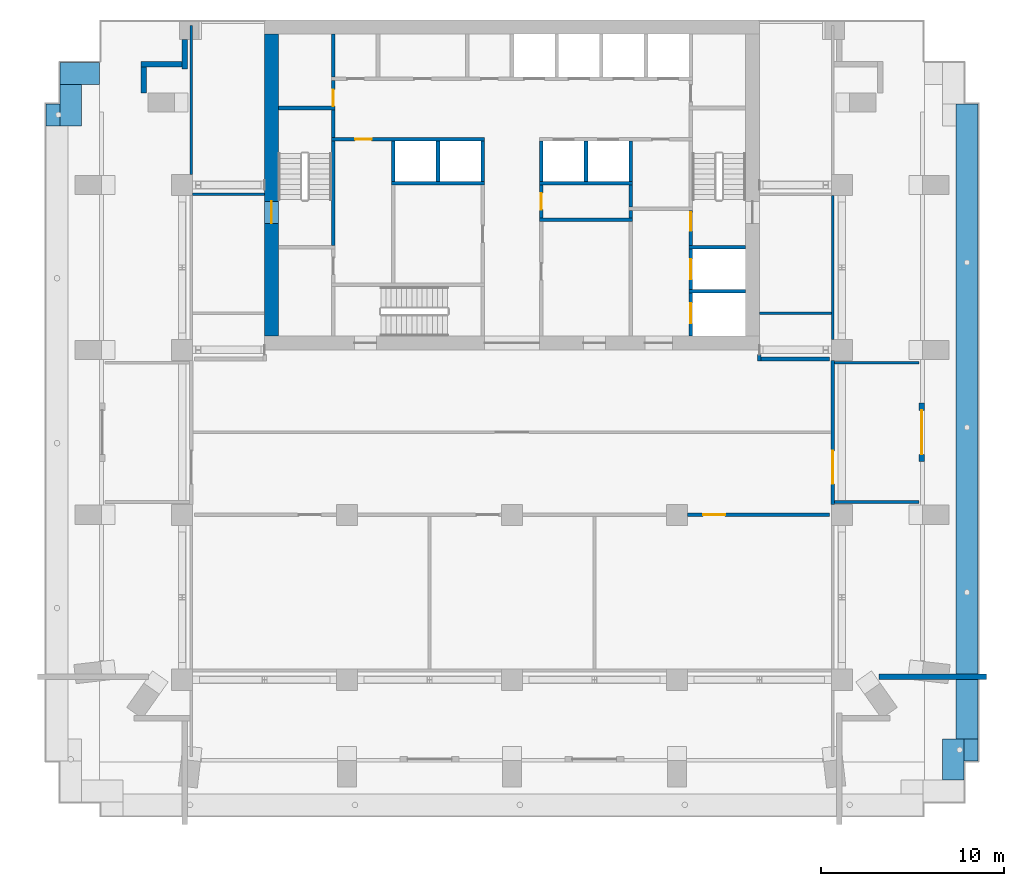
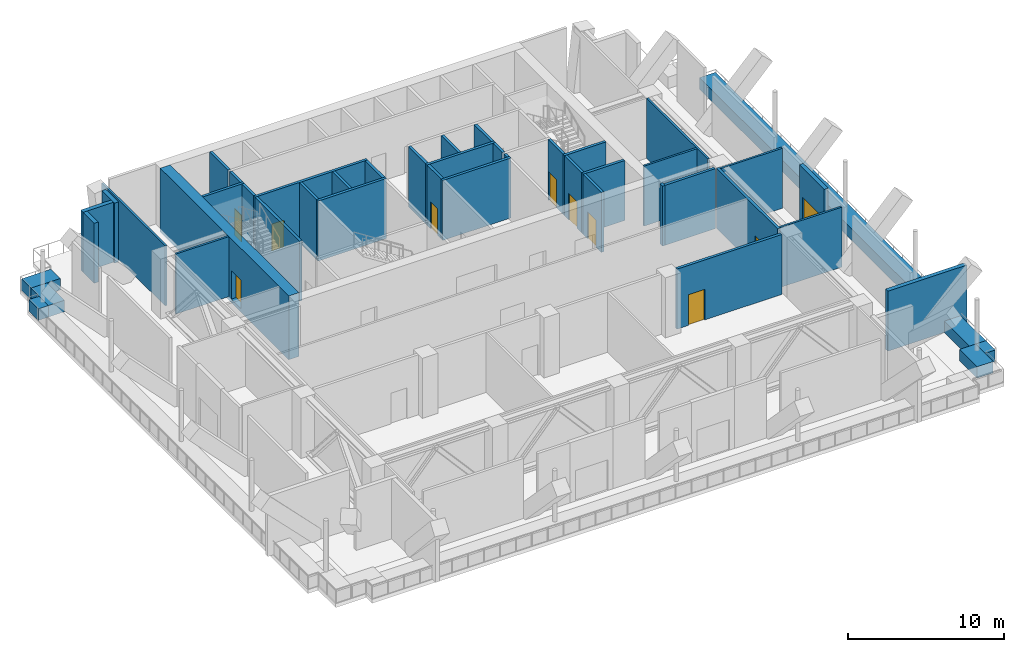
# One storey, part 4 of 9: 45 walls, 10 doors, 10 openings.
"""IFC4 building model written with IfcOpenShell, lengths in metres."""

from ifc_helpers import new_model, si_unit, direction, frame, frame_2d, origin, place, context, subcontext, project, spatial, rectangle, extrude, material, layer, layer_set, type_object, element, fill, save


model = new_model("IFC4")

# Units and contexts
model_context = context("Model", 3, precision=1e-05, world=origin(), true_north=direction((0.0, 1.0)))
body_context = subcontext(model_context, "Body", "Model", "MODEL_VIEW")
ifc_project = project(units=[si_unit("LENGTHUNIT", "METRE"), si_unit("AREAUNIT", "SQUARE_METRE"), si_unit("VOLUMEUNIT", "CUBIC_METRE"), si_unit("PLANEANGLEUNIT", "RADIAN"), si_unit("MASSUNIT", "GRAM", prefix="KILO")], contexts=[model_context])

# Site, building, storey
site_placement = place(None, origin())
site = spatial("IfcSite", under=ifc_project, at=site_placement, CompositionType="ELEMENT")
building_placement = place(site_placement, origin())
building = spatial("IfcBuilding", under=site, at=building_placement, Name="Orbiselva Terraces", CompositionType="ELEMENT")
storey_placement = place(building_placement, frame((0.0, 0.0, 179.4)))
storey = spatial("IfcBuildingStorey", under=building, at=storey_placement, Name="L45", CompositionType="ELEMENT", Elevation=179.4)

# Wall, opening, door
ifc_material_1 = material(Name="Concrete C80/95", Category="concrete")
ifc_layer_1 = layer(ifc_material_1, 0.75)
ifc_layer_set_1 = layer_set([ifc_layer_1], Name="Concrete C80/95")
wall_type_1 = type_object("IfcWallType", Name="CORE WALL 750", PredefinedType="SHEAR", material=ifc_layer_set_1)
wall_1_placement = place(storey_placement, frame((-13.125, 21.75, -0.3), z_axis=(0.0, 0.0, 1.0), x_axis=(0.0, -1.0, 0.0)))
wall_1 = element("IfcWall", 1, at=wall_1_placement, inside=storey, type_object=wall_type_1, Name="Core wall L45 west", PredefinedType="SHEAR", context=body_context, shape_type="SweptSolid", body=[
    extrude(rectangle(XDim=16.5, YDim=0.75, at=frame_2d((8.25, 0.0))), origin(), (0.0, 0.0, 1.0), 5.0),
])
opening_1_placement = place(wall_1_placement, frame((9.15, 0.0, 0.3)))
opening_1 = element("IfcOpeningElement", 2, at=opening_1_placement, cuts=wall_1, Name="Opening DS1200", PredefinedType="OPENING", context=body_context, shape_type="SweptSolid", body=[
    extrude(rectangle(XDim=1.2, YDim=2.2, at=frame_2d((0.6, 1.1))), frame((0.0, 0.385, 0.0), z_axis=(0.0, -1.0, 0.0), x_axis=(1.0, 0.0, 0.0)), (0.0, 0.0, 1.0), 0.77),
])
ifc_material_2 = material(Name="Steel fire door", Category="steel")
door_type_1 = type_object("IfcDoorType", Name="STAIR DOOR 1200", OperationType="NOTDEFINED", PredefinedType="DOOR", material=ifc_material_2)
door_1_placement = place(opening_1_placement, frame((1.2, 0.0, 0.0), z_axis=(0.0, 0.0, 1.0), x_axis=(-1.0, 0.0, 0.0)))
door_1 = element("IfcDoor", 3, at=door_1_placement, inside=storey, type_object=door_type_1, Name="L45 EXIT STAIR S1 door", OperationType="SINGLE_SWING_RIGHT", OverallHeight=2.2, OverallWidth=1.2, PredefinedType="DOOR", context=body_context, shape_type="SweptSolid", body=[
    extrude(rectangle(XDim=1.2, YDim=2.2, at=frame_2d((0.6, 1.1))), frame((0.0, 0.025, 0.0), z_axis=(0.0, -1.0, 0.0), x_axis=(1.0, 0.0, 0.0)), (0.0, 0.0, 1.0), 0.05),
])
fill(opening_1, door_1)

ifc_material_3 = material(Name="Masonry blockwork", Category="masonry")
ifc_layer_2 = layer(ifc_material_3, 0.2)
ifc_layer_set_2 = layer_set([ifc_layer_2], Name="Masonry blockwork")
wall_type_2 = type_object("IfcWallType", Name="CORE-WALL-PARTITION-200", PredefinedType="PARTITIONING", material=ifc_layer_set_2)
wall_2_placement = place(storey_placement, frame((-9.75, 17.8, 0.0), z_axis=(0.0, 0.0, 1.0), x_axis=(0.0, 1.0, 0.0)))
wall_2 = element("IfcWall", 4, at=wall_2_placement, inside=storey, type_object=wall_type_2, Name="L45 core wall 09", PredefinedType="PARTITIONING", context=body_context, shape_type="SweptSolid", body=[
    extrude(rectangle(XDim=1.4, YDim=0.2, at=frame_2d((0.7, 0.0))), origin(), (0.0, 0.0, 1.0), 4.7),
])
opening_2_placement = place(wall_2_placement, origin())
opening_2 = element("IfcOpeningElement", 5, at=opening_2_placement, cuts=wall_2, Name="Opening DR900", PredefinedType="OPENING", context=body_context, shape_type="SweptSolid", body=[
    extrude(rectangle(XDim=0.9, YDim=2.1, at=frame_2d((0.45, 1.05))), frame((0.0, 0.11, 0.0), z_axis=(0.0, -1.0, 0.0), x_axis=(1.0, 0.0, 0.0)), (0.0, 0.0, 1.0), 0.22),
])
door_type_2 = type_object("IfcDoorType", Name="ROOM DOOR 900", OperationType="NOTDEFINED", PredefinedType="DOOR", material=ifc_material_2)
door_2_placement = place(opening_2_placement, origin())
door_2 = element("IfcDoor", 6, at=door_2_placement, inside=storey, type_object=door_type_2, Name="L45 REFUGE STAIR LOBBY door", OperationType="SINGLE_SWING_LEFT", OverallHeight=2.1, OverallWidth=0.9, PredefinedType="DOOR", context=body_context, shape_type="SweptSolid", body=[
    extrude(rectangle(XDim=0.9, YDim=2.1, at=frame_2d((0.45, 1.05))), frame((0.0, 0.025, 0.0), z_axis=(0.0, -1.0, 0.0), x_axis=(1.0, 0.0, 0.0)), (0.0, 0.0, 1.0), 0.05),
])
fill(opening_2, door_2)

# Wall
wall_3_placement = place(storey_placement, frame((-9.75, 19.4, 0.0), z_axis=(0.0, 0.0, 1.0), x_axis=(0.0, 1.0, 0.0)))
element("IfcWall", 7, at=wall_3_placement, inside=storey, type_object=wall_type_2, Name="L45 core wall 11", PredefinedType="PARTITIONING", context=body_context, shape_type="SweptSolid", body=[
    extrude(rectangle(XDim=2.35, YDim=0.2, at=frame_2d((1.175, 0.0))), origin(), (0.0, 0.0, 1.0), 4.7),
])

# Wall, opening, door
wall_4_placement = place(storey_placement, frame((1.6, 13.5, 0.0), z_axis=(0.0, 0.0, 1.0), x_axis=(0.0, -1.0, 0.0)))
wall_4 = element("IfcWall", 8, at=wall_4_placement, inside=storey, type_object=wall_type_2, Name="L45 core wall 24", PredefinedType="PARTITIONING", context=body_context, shape_type="SweptSolid", body=[
    extrude(rectangle(XDim=1.8, YDim=0.2, at=frame_2d((0.9, 0.0))), origin(), (0.0, 0.0, 1.0), 4.7),
])
opening_3_placement = place(wall_4_placement, frame((0.45, 0.0, 0.0)))
opening_3 = element("IfcOpeningElement", 9, at=opening_3_placement, cuts=wall_4, Name="Opening DR900", PredefinedType="OPENING", context=body_context, shape_type="SweptSolid", body=[
    extrude(rectangle(XDim=0.9, YDim=2.1, at=frame_2d((0.45, 1.05))), frame((0.0, 0.11, 0.0), z_axis=(0.0, -1.0, 0.0), x_axis=(1.0, 0.0, 0.0)), (0.0, 0.0, 1.0), 0.22),
])
door_3_placement = place(opening_3_placement, origin())
door_3 = element("IfcDoor", 10, at=door_3_placement, inside=storey, type_object=door_type_2, Name="L45 BMS CONTROL ROOM door", OperationType="SINGLE_SWING_LEFT", OverallHeight=2.1, OverallWidth=0.9, PredefinedType="DOOR", context=body_context, shape_type="SweptSolid", body=[
    extrude(rectangle(XDim=0.9, YDim=2.1, at=frame_2d((0.45, 1.05))), frame((0.0, 0.025, 0.0), z_axis=(0.0, -1.0, 0.0), x_axis=(1.0, 0.0, 0.0)), (0.0, 0.0, 1.0), 0.05),
])
fill(opening_3, door_3)

# Walls
wall_5_placement = place(storey_placement, frame((6.475, 12.3, 0.0), z_axis=(0.0, 0.0, 1.0), x_axis=(0.0, 1.0, 0.0)))
element("IfcWall", 11, at=wall_5_placement, inside=storey, type_object=wall_type_2, Name="L45 core wall 34", PredefinedType="PARTITIONING", context=body_context, shape_type="SweptSolid", body=[
    extrude(rectangle(XDim=1.2, YDim=0.2, at=frame_2d((0.6, 0.0))), origin(), (0.0, 0.0, 1.0), 4.7),
])
ifc_material_4 = material(Name="Concrete C40/50", Category="concrete")
ifc_layer_3 = layer(ifc_material_4, 0.2)
ifc_layer_set_3 = layer_set([ifc_layer_3], Name="Concrete C40/50")
wall_type_3 = type_object("IfcWallType", Name="CORE-WALL-SHAFT-200", PredefinedType="PARTITIONING", material=ifc_layer_set_3)
for number, where, z_axis, x_axis, name in (
    (12, (-6.475, 13.7, 0.0), (0.0, 0.0, 1.0), (0.0, 1.0, 0.0), "L45 core wall 15"),
    (13, (-4.0375, 13.7, 0.0), (0.0, 0.0, 1.0), (0.0, 1.0, 0.0), "L45 core wall 16"),
    (14, (-1.6, 13.7, 0.0), (0.0, 0.0, 1.0), (0.0, 1.0, 0.0), "L45 core wall 20"),
    (15, (1.6, 13.7, 0.0), (0.0, 0.0, 1.0), (0.0, 1.0, 0.0), "L45 core wall 26"),
    (16, (4.0375, 13.7, 0.0), (0.0, 0.0, 1.0), (0.0, 1.0, 0.0), "L45 core wall 29"),
    (17, (6.475, 13.7, 0.0), (0.0, 0.0, 1.0), (0.0, 1.0, 0.0), "L45 core wall 35"),
):
    element("IfcWall", number, at=place(storey_placement, frame(where, z_axis=z_axis, x_axis=x_axis)), inside=storey, type_object=wall_type_3, Name=name, PredefinedType="PARTITIONING", context=body_context, shape_type="SweptSolid", body=[
        extrude(rectangle(XDim=2.2, YDim=0.2, at=frame_2d((1.1, 0.0))), origin(), (0.0, 0.0, 1.0), 4.7),
    ])
ifc_material_5 = material(Name="Concrete C60/75", Category="concrete")
ifc_layer_4 = layer(ifc_material_5, 0.2)
ifc_layer_set_4 = layer_set([ifc_layer_4], Name="Concrete C60/75")
wall_type_4 = type_object("IfcWallType", Name="CORE-WALL-SHEAR-200", PredefinedType="SHEAR", material=ifc_layer_set_4)
wall_6_placement = place(storey_placement, frame((-12.75, 17.7, 0.0), z_axis=(0.0, 0.0, 1.0), x_axis=(1.0, 0.0, 0.0)))
element("IfcWall", 18, at=wall_6_placement, inside=storey, type_object=wall_type_4, Name="L45 core wall 02", PredefinedType="SHEAR", context=body_context, shape_type="SweptSolid", body=[
    extrude(rectangle(XDim=3.1, YDim=0.2, at=frame_2d((1.55, 0.0))), origin(), (0.0, 0.0, 1.0), 4.7),
])
wall_7_placement = place(storey_placement, frame((-9.75, 10.2, 0.0), z_axis=(0.0, 0.0, 1.0), x_axis=(0.0, 1.0, 0.0)))
element("IfcWall", 19, at=wall_7_placement, inside=storey, type_object=wall_type_4, Name="L45 core wall 06", PredefinedType="SHEAR", context=body_context, shape_type="SweptSolid", body=[
    extrude(rectangle(XDim=5.7, YDim=0.2, at=frame_2d((2.85, 0.0))), origin(), (0.0, 0.0, 1.0), 4.7),
])

# Wall, opening, door
wall_8_placement = place(storey_placement, frame((-1.5, 16.0, 0.0), z_axis=(0.0, 0.0, 1.0), x_axis=(-1.0, 0.0, 0.0)))
wall_8 = element("IfcWall", 20, at=wall_8_placement, inside=storey, type_object=wall_type_4, Name="L45 core wall 07", PredefinedType="SHEAR", context=body_context, shape_type="SweptSolid", body=[
    extrude(rectangle(XDim=8.35, YDim=0.2, at=frame_2d((4.175, 0.0))), origin(), (0.0, 0.0, 1.0), 4.7),
])
opening_4_placement = place(wall_8_placement, frame((6.1625, 0.0, 0.0)))
opening_4 = element("IfcOpeningElement", 21, at=opening_4_placement, cuts=wall_8, Name="Opening DR900", PredefinedType="OPENING", context=body_context, shape_type="SweptSolid", body=[
    extrude(rectangle(XDim=0.9, YDim=2.1, at=frame_2d((0.45, 1.05))), frame((0.0, 0.11, 0.0), z_axis=(0.0, -1.0, 0.0), x_axis=(1.0, 0.0, 0.0)), (0.0, 0.0, 1.0), 0.22),
])
door_4_placement = place(opening_4_placement, origin())
door_4 = element("IfcDoor", 22, at=door_4_placement, inside=storey, type_object=door_type_2, Name="L45 PUMP AND TANK ROOM door", OperationType="SINGLE_SWING_RIGHT", OverallHeight=2.1, OverallWidth=0.9, PredefinedType="DOOR", context=body_context, shape_type="SweptSolid", body=[
    extrude(rectangle(XDim=0.9, YDim=2.1, at=frame_2d((0.45, 1.05))), frame((0.0, 0.025, 0.0), z_axis=(0.0, -1.0, 0.0), x_axis=(1.0, 0.0, 0.0)), (0.0, 0.0, 1.0), 0.05),
])
fill(opening_4, door_4)

# Walls
wall_9_placement = place(storey_placement, frame((-9.75, 16.1, 0.0), z_axis=(0.0, 0.0, 1.0), x_axis=(0.0, 1.0, 0.0)))
element("IfcWall", 23, at=wall_9_placement, inside=storey, type_object=wall_type_4, Name="L45 core wall 08", PredefinedType="SHEAR", context=body_context, shape_type="SweptSolid", body=[
    extrude(rectangle(XDim=1.5, YDim=0.2, at=frame_2d((0.75, 0.0))), origin(), (0.0, 0.0, 1.0), 4.7),
])
for number, where, z_axis, x_axis, name in (
    (24, (-6.575, 13.6, 0.0), (0.0, 0.0, 1.0), (1.0, 0.0, 0.0), "L45 core wall 14"),
    (25, (1.5, 11.6, 0.0), (0.0, 0.0, 1.0), (1.0, 0.0, 0.0), "L45 core wall 23"),
    (26, (1.5, 13.6, 0.0), (0.0, 0.0, 1.0), (1.0, 0.0, 0.0), "L45 core wall 25"),
):
    element("IfcWall", number, at=place(storey_placement, frame(where, z_axis=z_axis, x_axis=x_axis)), inside=storey, type_object=wall_type_4, Name=name, PredefinedType="SHEAR", context=body_context, shape_type="SweptSolid", body=[
        extrude(rectangle(XDim=5.075, YDim=0.2, at=frame_2d((2.5375, 0.0))), origin(), (0.0, 0.0, 1.0), 4.7),
    ])
wall_10_placement = place(storey_placement, frame((6.475, 11.7, 0.0), z_axis=(0.0, 0.0, 1.0), x_axis=(0.0, 1.0, 0.0)))
element("IfcWall", 27, at=wall_10_placement, inside=storey, type_object=wall_type_4, Name="L45 core wall 32", PredefinedType="SHEAR", context=body_context, shape_type="SweptSolid", body=[
    extrude(rectangle(XDim=0.4, YDim=0.2, at=frame_2d((0.2, 0.0))), origin(), (0.0, 0.0, 1.0), 4.7),
])

# Wall, opening, door
wall_11_placement = place(storey_placement, frame((9.75, 5.25, 0.0), z_axis=(0.0, 0.0, 1.0), x_axis=(0.0, 1.0, 0.0)))
wall_11 = element("IfcWall", 28, at=wall_11_placement, inside=storey, type_object=wall_type_4, Name="L45 core wall 37", PredefinedType="SHEAR", context=body_context, shape_type="SweptSolid", body=[
    extrude(rectangle(XDim=2.35, YDim=0.2, at=frame_2d((1.175, 0.0))), origin(), (0.0, 0.0, 1.0), 4.7),
])
opening_5_placement = place(wall_11_placement, frame((0.7, 0.0, 0.0)))
opening_5 = element("IfcOpeningElement", 29, at=opening_5_placement, cuts=wall_11, Name="Opening LD-FF1", PredefinedType="OPENING", context=body_context, shape_type="SweptSolid", body=[
    extrude(rectangle(XDim=1.1, YDim=2.1, at=frame_2d((0.55, 1.05))), frame((0.0, 0.11, 0.0), z_axis=(0.0, -1.0, 0.0), x_axis=(1.0, 0.0, 0.0)), (0.0, 0.0, 1.0), 0.22),
])
ifc_material_6 = material(Name="Stainless steel landing door", Category="steel")
door_type_3 = type_object("IfcDoorType", Name="LANDING DOOR 1100", OperationType="SLIDING_TO_LEFT", PredefinedType="DOOR", material=ifc_material_6)
door_5_placement = place(opening_5_placement, origin())
door_5 = element("IfcDoor", 30, at=door_5_placement, inside=storey, type_object=door_type_3, Name="L45 landing door FF1", OperationType="SLIDING_TO_RIGHT", OverallHeight=2.1, OverallWidth=1.1, PredefinedType="DOOR", context=body_context, shape_type="SweptSolid", body=[
    extrude(rectangle(XDim=1.1, YDim=2.1, at=frame_2d((0.55, 1.05))), frame((0.0, 0.025, 0.0), z_axis=(0.0, -1.0, 0.0), x_axis=(1.0, 0.0, 0.0)), (0.0, 0.0, 1.0), 0.05),
])
fill(opening_5, door_5)

# Wall
wall_12_placement = place(storey_placement, frame((9.65, 7.7, 0.0), z_axis=(0.0, 0.0, 1.0), x_axis=(1.0, 0.0, 0.0)))
element("IfcWall", 31, at=wall_12_placement, inside=storey, type_object=wall_type_4, Name="L45 core wall 38", PredefinedType="SHEAR", context=body_context, shape_type="SweptSolid", body=[
    extrude(rectangle(XDim=3.1, YDim=0.2, at=frame_2d((1.55, 0.0))), origin(), (0.0, 0.0, 1.0), 4.7),
])

# Wall, opening, door
wall_13_placement = place(storey_placement, frame((9.75, 7.8, 0.0), z_axis=(0.0, 0.0, 1.0), x_axis=(0.0, 1.0, 0.0)))
wall_13 = element("IfcWall", 32, at=wall_13_placement, inside=storey, type_object=wall_type_4, Name="L45 core wall 39", PredefinedType="SHEAR", context=body_context, shape_type="SweptSolid", body=[
    extrude(rectangle(XDim=2.2, YDim=0.2, at=frame_2d((1.1, 0.0))), origin(), (0.0, 0.0, 1.0), 4.7),
])
opening_6_placement = place(wall_13_placement, frame((0.55, 0.0, 0.0)))
opening_6 = element("IfcOpeningElement", 33, at=opening_6_placement, cuts=wall_13, Name="Opening LD-FF2", PredefinedType="OPENING", context=body_context, shape_type="SweptSolid", body=[
    extrude(rectangle(XDim=1.1, YDim=2.1, at=frame_2d((0.55, 1.05))), frame((0.0, 0.11, 0.0), z_axis=(0.0, -1.0, 0.0), x_axis=(1.0, 0.0, 0.0)), (0.0, 0.0, 1.0), 0.22),
])
door_6_placement = place(opening_6_placement, origin())
door_6 = element("IfcDoor", 34, at=door_6_placement, inside=storey, type_object=door_type_3, Name="L45 landing door FF2", OperationType="SLIDING_TO_RIGHT", OverallHeight=2.1, OverallWidth=1.1, PredefinedType="DOOR", context=body_context, shape_type="SweptSolid", body=[
    extrude(rectangle(XDim=1.1, YDim=2.1, at=frame_2d((0.55, 1.05))), frame((0.0, 0.025, 0.0), z_axis=(0.0, -1.0, 0.0), x_axis=(1.0, 0.0, 0.0)), (0.0, 0.0, 1.0), 0.05),
])
fill(opening_6, door_6)

# Wall
wall_14_placement = place(storey_placement, frame((9.65, 10.1, 0.0), z_axis=(0.0, 0.0, 1.0), x_axis=(1.0, 0.0, 0.0)))
element("IfcWall", 35, at=wall_14_placement, inside=storey, type_object=wall_type_4, Name="L45 core wall 40", PredefinedType="SHEAR", context=body_context, shape_type="SweptSolid", body=[
    extrude(rectangle(XDim=3.1, YDim=0.2, at=frame_2d((1.55, 0.0))), origin(), (0.0, 0.0, 1.0), 4.7),
])

# Wall, opening, door
wall_15_placement = place(storey_placement, frame((9.75, 12.1, 0.0), z_axis=(0.0, 0.0, 1.0), x_axis=(0.0, -1.0, 0.0)))
wall_15 = element("IfcWall", 36, at=wall_15_placement, inside=storey, type_object=wall_type_4, Name="L45 core wall 41", PredefinedType="SHEAR", context=body_context, shape_type="SweptSolid", body=[
    extrude(rectangle(XDim=1.9, YDim=0.2, at=frame_2d((0.95, 0.0))), origin(), (0.0, 0.0, 1.0), 4.7),
])
opening_7_placement = place(wall_15_placement, frame((0.1, 0.0, 0.0)))
opening_7 = element("IfcOpeningElement", 37, at=opening_7_placement, cuts=wall_15, Name="Opening DS1000", PredefinedType="OPENING", context=body_context, shape_type="SweptSolid", body=[
    extrude(rectangle(XDim=1.0, YDim=2.2, at=frame_2d((0.5, 1.1))), frame((0.0, 0.11, 0.0), z_axis=(0.0, -1.0, 0.0), x_axis=(1.0, 0.0, 0.0)), (0.0, 0.0, 1.0), 0.22),
])
door_type_4 = type_object("IfcDoorType", Name="STAIR DOOR 1000", OperationType="NOTDEFINED", PredefinedType="DOOR", material=ifc_material_2)
door_7_placement = place(opening_7_placement, origin())
door_7 = element("IfcDoor", 38, at=door_7_placement, inside=storey, type_object=door_type_4, Name="L45 FIRE-FIGHTING LOBBY TO EXIT STAIR S2 door", OperationType="SINGLE_SWING_LEFT", OverallHeight=2.2, OverallWidth=1.0, PredefinedType="DOOR", context=body_context, shape_type="SweptSolid", body=[
    extrude(rectangle(XDim=1.0, YDim=2.2, at=frame_2d((0.5, 1.1))), frame((0.0, 0.025, 0.0), z_axis=(0.0, -1.0, 0.0), x_axis=(1.0, 0.0, 0.0)), (0.0, 0.0, 1.0), 0.05),
])
fill(opening_7, door_7)

# Walls
ifc_layer_5 = layer(ifc_material_4, 1.2)
ifc_layer_set_5 = layer_set([ifc_layer_5], Name="Concrete C40/50")
wall_type_5 = type_object("IfcWallType", Name="ENV-GARDEN-BED-1200x900", PredefinedType="USERDEFINED", material=ifc_layer_set_5)
wall_16_placement = place(storey_placement, frame((-22.5, 19.58, 0.0), z_axis=(0.0, 0.0, 1.0), x_axis=(-1.0, 0.0, 0.0)))
element("IfcWall", 39, at=wall_16_placement, inside=storey, type_object=wall_type_5, Name="Planter bed L45 ring", ObjectType="PLANTER", PredefinedType="USERDEFINED", context=body_context, shape_type="SweptSolid", body=[
    extrude(rectangle(XDim=2.18, YDim=1.2, at=frame_2d((1.09, 0.0))), origin(), (0.0, 0.0, 1.0), 0.9),
])
wall_17_placement = place(storey_placement, frame((-24.08, 18.98, 0.0), z_axis=(0.0, 0.0, 1.0), x_axis=(0.0, -1.0, 0.0)))
element("IfcWall", 40, at=wall_17_placement, inside=storey, type_object=wall_type_5, Name="Planter bed L45 ring", ObjectType="PLANTER", PredefinedType="USERDEFINED", context=body_context, shape_type="SweptSolid", body=[
    extrude(rectangle(XDim=2.25, YDim=1.2, at=frame_2d((1.125, 0.0))), origin(), (0.0, 0.0, 1.0), 0.9),
])
wall_18_placement = place(storey_placement, frame((-24.68, 17.33, 0.0), z_axis=(0.0, 0.0, 1.0), x_axis=(-1.0, 0.0, 0.0)))
element("IfcWall", 41, at=wall_18_placement, inside=storey, type_object=wall_type_5, Name="Planter bed L45 ring", ObjectType="PLANTER", PredefinedType="USERDEFINED", context=body_context, shape_type="SweptSolid", body=[
    extrude(rectangle(XDim=0.75, YDim=1.2, at=frame_2d((0.375, 0.0))), origin(), (0.0, 0.0, 1.0), 0.9),
])
wall_19_placement = place(storey_placement, frame((24.08, -18.98, 0.0), z_axis=(0.0, 0.0, 1.0), x_axis=(0.0, 1.0, 0.0)))
element("IfcWall", 42, at=wall_19_placement, inside=storey, type_object=wall_type_5, Name="Planter bed L45 ring", ObjectType="PLANTER", PredefinedType="USERDEFINED", context=body_context, shape_type="SweptSolid", body=[
    extrude(rectangle(XDim=2.25, YDim=1.2, at=frame_2d((1.125, 0.0))), origin(), (0.0, 0.0, 1.0), 0.9),
])
wall_20_placement = place(storey_placement, frame((24.68, -17.33, 0.0), z_axis=(0.0, 0.0, 1.0), x_axis=(1.0, 0.0, 0.0)))
element("IfcWall", 43, at=wall_20_placement, inside=storey, type_object=wall_type_5, Name="Planter bed L45 ring", ObjectType="PLANTER", PredefinedType="USERDEFINED", context=body_context, shape_type="SweptSolid", body=[
    extrude(rectangle(XDim=0.75, YDim=1.2, at=frame_2d((0.375, 0.0))), origin(), (0.0, 0.0, 1.0), 0.9),
])
wall_21_placement = place(storey_placement, frame((24.83, -16.73, 0.0), z_axis=(0.0, 0.0, 1.0), x_axis=(0.0, 1.0, 0.0)))
element("IfcWall", 44, at=wall_21_placement, inside=storey, type_object=wall_type_5, Name="Planter bed L45 ring", ObjectType="PLANTER", PredefinedType="USERDEFINED", context=body_context, shape_type="SweptSolid", body=[
    extrude(rectangle(XDim=34.66, YDim=1.2, at=frame_2d((17.33, 0.0))), origin(), (0.0, 0.0, 1.0), 0.9),
])
ifc_material_7 = material(Name="Terracotta cladding on masonry backing", Category="masonry")
ifc_layer_6 = layer(ifc_material_7, 0.3)
ifc_layer_set_6 = layer_set([ifc_layer_6], Name="Terracotta cladding on masonry backing")
wall_type_6 = type_object("IfcWallType", Name="ENV-WALL-TERRACOTTA-300", PredefinedType="SOLIDWALL", material=ifc_layer_set_6)
wall_22_placement = place(storey_placement, frame((25.888385, -13.35, 0.0), z_axis=(0.0, 0.0, 1.0), x_axis=(-1.0, 0.0, 0.0)))
element("IfcWall", 45, at=wall_22_placement, inside=storey, type_object=wall_type_6, Name="Facade wall L45 STEP", PredefinedType="SOLIDWALL", context=body_context, shape_type="SweptSolid", body=[
    extrude(rectangle(XDim=5.849215, YDim=0.3, at=frame_2d((2.924608, 0.0))), origin(), (0.0, 0.0, 1.0), 4.7),
])

# Wall, opening, door
wall_23_placement = place(storey_placement, frame((22.35, 1.6, 0.0), z_axis=(0.0, 0.0, 1.0), x_axis=(0.0, -1.0, 0.0)))
wall_23 = element("IfcWall", 46, at=wall_23_placement, inside=storey, type_object=wall_type_6, Name="Facade wall L45 E", PredefinedType="SOLIDWALL", context=body_context, shape_type="SweptSolid", body=[
    extrude(rectangle(XDim=3.2, YDim=0.3, at=frame_2d((1.6, 0.0))), origin(), (0.0, 0.0, 1.0), 4.7),
])
opening_8_placement = place(wall_23_placement, frame((0.4, 0.0, 0.0)))
opening_8 = element("IfcOpeningElement", 47, at=opening_8_placement, cuts=wall_23, Name="Opening PLANT-R2-E03", PredefinedType="OPENING", context=body_context, shape_type="SweptSolid", body=[
    extrude(rectangle(XDim=2.4, YDim=2.4, at=frame_2d((1.2, 1.2))), frame((0.0, 0.16, 0.0), z_axis=(0.0, -1.0, 0.0), x_axis=(1.0, 0.0, 0.0)), (0.0, 0.0, 1.0), 0.32),
])
ifc_material_8 = material(Name="Clear low-e glazing in aluminium frame", Category="aluminium")
door_type_5 = type_object("IfcDoorType", Name="TERRACE DOOR 2400 X 2400", OperationType="DOUBLE_DOOR_SINGLE_SWING", PredefinedType="DOOR", material=ifc_material_8)
door_8_placement = place(opening_8_placement, origin())
door_8 = element("IfcDoor", 48, at=door_8_placement, inside=storey, type_object=door_type_5, Name="PLANT-R2-E03", OperationType="SINGLE_SWING_LEFT", OverallHeight=2.4, OverallWidth=2.4, PredefinedType="DOOR", context=body_context, shape_type="SweptSolid", body=[
    extrude(rectangle(XDim=2.4, YDim=2.4, at=frame_2d((1.2, 1.2))), frame((0.0, 0.025, 0.0), z_axis=(0.0, -1.0, 0.0), x_axis=(1.0, 0.0, 0.0)), (0.0, 0.0, 1.0), 0.05),
])
fill(opening_8, door_8)

# Walls
wall_24_placement = place(storey_placement, frame((-17.85, 19.825, 0.0), z_axis=(0.0, 0.0, 1.0), x_axis=(0.0, 1.0, 0.0)))
element("IfcWall", 49, at=wall_24_placement, inside=storey, type_object=wall_type_6, Name="Facade wall L45 STEP", PredefinedType="SOLIDWALL", context=body_context, shape_type="SweptSolid", body=[
    extrude(rectangle(XDim=1.625, YDim=0.3, at=frame_2d((0.8125, 0.0))), origin(), (0.0, 0.0, 1.0), 4.7),
])
wall_25_placement = place(storey_placement, frame((-20.25, 20.1, 0.0), z_axis=(0.0, 0.0, 1.0), x_axis=(1.0, 0.0, 0.0)))
element("IfcWall", 50, at=wall_25_placement, inside=storey, type_object=wall_type_6, Name="Facade wall L45 STEP", PredefinedType="SOLIDWALL", context=body_context, shape_type="SweptSolid", body=[
    extrude(rectangle(XDim=2.25, YDim=0.3, at=frame_2d((1.125, 0.0))), origin(), (0.0, 0.0, 1.0), 4.7),
])
wall_26_placement = place(storey_placement, frame((-20.1, 18.525, 0.0), z_axis=(0.0, 0.0, 1.0), x_axis=(0.0, 1.0, 0.0)))
element("IfcWall", 51, at=wall_26_placement, inside=storey, type_object=wall_type_6, Name="Facade wall L45 STEP", PredefinedType="SOLIDWALL", context=body_context, shape_type="SweptSolid", body=[
    extrude(rectangle(XDim=1.425, YDim=0.3, at=frame_2d((0.7125, 0.0))), origin(), (0.0, 0.0, 1.0), 4.7),
])

# Wall, opening, door
ifc_material_9 = material(Name="Plasterboard on steel stud partition", Category="steel")
ifc_layer_7 = layer(ifc_material_9, 0.2)
ifc_layer_set_7 = layer_set([ifc_layer_7], Name="Plasterboard on steel stud partition")
wall_type_7 = type_object("IfcWallType", Name="UNIT-ENTRANCE-WALL-200", PredefinedType="PARTITIONING", material=ifc_layer_set_7)
wall_27_placement = place(storey_placement, frame((17.325, -4.5, 0.0), z_axis=(0.0, 0.0, 1.0), x_axis=(-1.0, 0.0, 0.0)))
wall_27 = element("IfcWall", 52, at=wall_27_placement, inside=storey, type_object=wall_type_7, Name="PARTITION L45-008", PredefinedType="PARTITIONING", context=body_context, shape_type="SweptSolid", body=[
    extrude(rectangle(XDim=7.75, YDim=0.2, at=frame_2d((3.875, 0.0))), origin(), (0.0, 0.0, 1.0), 4.7),
])
opening_9_placement = place(wall_27_placement, frame((5.7, 0.0, 0.0)))
opening_9 = element("IfcOpeningElement", 53, at=opening_9_placement, cuts=wall_27, Name="Opening PLANT-R2-06", PredefinedType="OPENING", context=body_context, shape_type="SweptSolid", body=[
    extrude(rectangle(XDim=1.2, YDim=2.4, at=frame_2d((0.6, 1.2))), frame((0.0, 0.11, 0.0), z_axis=(0.0, -1.0, 0.0), x_axis=(1.0, 0.0, 0.0)), (0.0, 0.0, 1.0), 0.22),
])
ifc_material_10 = material(Name="Painted timber door leaf", Category="wood")
door_type_6 = type_object("IfcDoorType", Name="PLANT DOOR 1200", OperationType="NOTDEFINED", PredefinedType="DOOR", material=ifc_material_10)
door_9_placement = place(opening_9_placement, origin())
door_9 = element("IfcDoor", 54, at=door_9_placement, inside=storey, type_object=door_type_6, Name="PLANT-R2-06", OperationType="SINGLE_SWING_RIGHT", OverallHeight=2.4, OverallWidth=1.2, PredefinedType="DOOR", context=body_context, shape_type="SweptSolid", body=[
    extrude(rectangle(XDim=1.2, YDim=2.4, at=frame_2d((0.6, 1.2))), frame((0.0, 0.025, 0.0), z_axis=(0.0, -1.0, 0.0), x_axis=(1.0, 0.0, 0.0)), (0.0, 0.0, 1.0), 0.05),
])
fill(opening_9, door_9)

# Walls
wall_28_placement = place(storey_placement, frame((13.6, 4.0, 0.0), z_axis=(0.0, 0.0, 1.0), x_axis=(1.0, 0.0, 0.0)))
element("IfcWall", 55, at=wall_28_placement, inside=storey, type_object=wall_type_7, Name="PARTITION L45-015", PredefinedType="PARTITIONING", context=body_context, shape_type="SweptSolid", body=[
    extrude(rectangle(XDim=3.725, YDim=0.2, at=frame_2d((1.8625, 0.0))), origin(), (0.0, 0.0, 1.0), 4.7),
])
wall_29_placement = place(storey_placement, frame((13.5, 3.9, 0.0), z_axis=(0.0, 0.0, 1.0), x_axis=(0.0, 1.0, 0.0)))
element("IfcWall", 56, at=wall_29_placement, inside=storey, type_object=wall_type_7, Name="PARTITION L45-028", PredefinedType="PARTITIONING", context=body_context, shape_type="SweptSolid", body=[
    extrude(rectangle(XDim=0.35, YDim=0.2, at=frame_2d((0.175, 0.0))), origin(), (0.0, 0.0, 1.0), 4.7),
])

# Wall, opening, door
wall_30_placement = place(storey_placement, frame((17.5, -3.925, 0.0), z_axis=(0.0, 0.0, 1.0), x_axis=(0.0, 1.0, 0.0)))
wall_30 = element("IfcWall", 57, at=wall_30_placement, inside=storey, type_object=wall_type_7, Name="PARTITION L45-029", PredefinedType="PARTITIONING", context=body_context, shape_type="SweptSolid", body=[
    extrude(rectangle(XDim=7.85, YDim=0.2, at=frame_2d((3.925, 0.0))), origin(), (0.0, 0.0, 1.0), 4.7),
])
opening_10_placement = place(wall_30_placement, frame((1.12, 0.0, 0.0)))
opening_10 = element("IfcOpeningElement", 58, at=opening_10_placement, cuts=wall_30, Name="Opening PLANT-R2-03", PredefinedType="OPENING", context=body_context, shape_type="SweptSolid", body=[
    extrude(rectangle(XDim=1.8, YDim=2.4, at=frame_2d((0.9, 1.2))), frame((0.0, 0.11, 0.0), z_axis=(0.0, -1.0, 0.0), x_axis=(1.0, 0.0, 0.0)), (0.0, 0.0, 1.0), 0.22),
])
door_type_7 = type_object("IfcDoorType", Name="DOUBLE DOOR 1800", OperationType="NOTDEFINED", PredefinedType="DOOR", material=ifc_material_10)
door_10_placement = place(opening_10_placement, origin())
door_10 = element("IfcDoor", 59, at=door_10_placement, inside=storey, type_object=door_type_7, Name="PLANT-R2-03", OperationType="DOUBLE_DOOR_SINGLE_SWING", OverallHeight=2.4, OverallWidth=1.8, PredefinedType="DOOR", context=body_context, shape_type="SweptSolid", body=[
    extrude(rectangle(XDim=1.8, YDim=2.4, at=frame_2d((0.9, 1.2))), frame((0.0, 0.025, 0.0), z_axis=(0.0, -1.0, 0.0), x_axis=(1.0, 0.0, 0.0)), (0.0, 0.0, 1.0), 0.05),
])
fill(opening_10, door_10)

# Walls
ifc_layer_8 = layer(ifc_material_9, 0.15)
ifc_layer_set_8 = layer_set([ifc_layer_8], Name="Plasterboard on steel stud partition")
wall_type_8 = type_object("IfcWallType", Name="UNIT-PARTITION-150", PredefinedType="PARTITIONING", material=ifc_layer_set_8)
for number, where, z_axis, x_axis, name in (
    (60, (17.6, -3.805, 0.0), (0.0, 0.0, 1.0), (1.0, 0.0, 0.0), "PARTITION L45-010"),
    (61, (17.6, 3.805, 0.0), (0.0, 0.0, 1.0), (1.0, 0.0, 0.0), "PARTITION L45-013"),
):
    element("IfcWall", number, at=place(storey_placement, frame(where, z_axis=z_axis, x_axis=x_axis)), inside=storey, type_object=wall_type_8, Name=name, PredefinedType="PARTITIONING", context=body_context, shape_type="SweptSolid", body=[
        extrude(rectangle(XDim=4.6, YDim=0.15, at=frame_2d((2.3, 0.0))), origin(), (0.0, 0.0, 1.0), 4.7),
    ])
for number, where, z_axis, x_axis, name in (
    (62, (13.5, 6.5, 0.0), (0.0, 0.0, 1.0), (1.0, 0.0, 0.0), "PARTITION L45-017"),
    (63, (-17.425, 13.0, 0.0), (0.0, 0.0, 1.0), (1.0, 0.0, 0.0), "PARTITION L45-018"),
):
    element("IfcWall", number, at=place(storey_placement, frame(where, z_axis=z_axis, x_axis=x_axis)), inside=storey, type_object=wall_type_8, Name=name, PredefinedType="PARTITIONING", context=body_context, shape_type="SweptSolid", body=[
        extrude(rectangle(XDim=3.925, YDim=0.15, at=frame_2d((1.9625, 0.0))), origin(), (0.0, 0.0, 1.0), 4.7),
    ])
wall_31_placement = place(storey_placement, frame((-17.5, 14.075, 0.0), z_axis=(0.0, 0.0, 1.0), x_axis=(0.0, 1.0, 0.0)))
element("IfcWall", 64, at=wall_31_placement, inside=storey, type_object=wall_type_8, Name="PARTITION L45-024", PredefinedType="PARTITIONING", context=body_context, shape_type="SweptSolid", body=[
    extrude(rectangle(XDim=8.125, YDim=0.15, at=frame_2d((4.0625, 0.0))), origin(), (0.0, 0.0, 1.0), 4.7),
])
wall_32_placement = place(storey_placement, frame((17.5, 5.075, 0.0), z_axis=(0.0, 0.0, 1.0), x_axis=(0.0, 1.0, 0.0)))
element("IfcWall", 65, at=wall_32_placement, inside=storey, type_object=wall_type_8, Name="PARTITION L45-032", PredefinedType="PARTITIONING", context=body_context, shape_type="SweptSolid", body=[
    extrude(rectangle(XDim=7.85, YDim=0.15, at=frame_2d((3.925, 0.0))), origin(), (0.0, 0.0, 1.0), 4.7),
])

save(model, "model.ifc")
